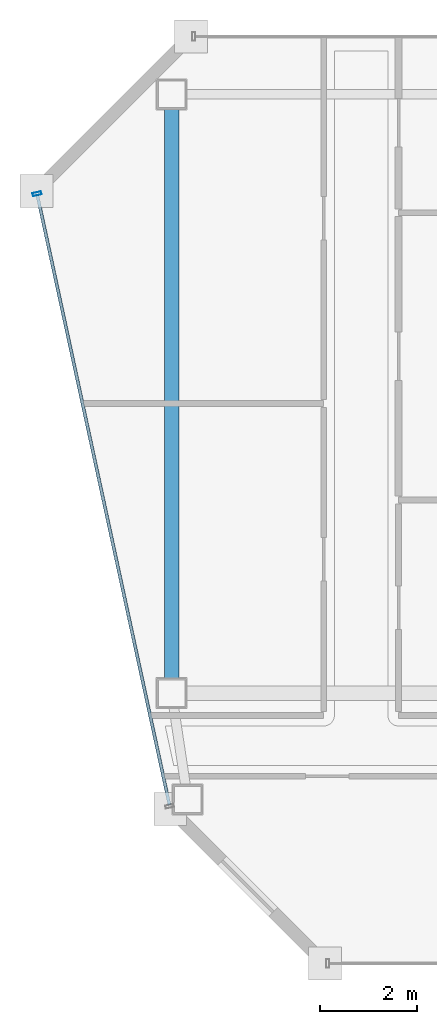
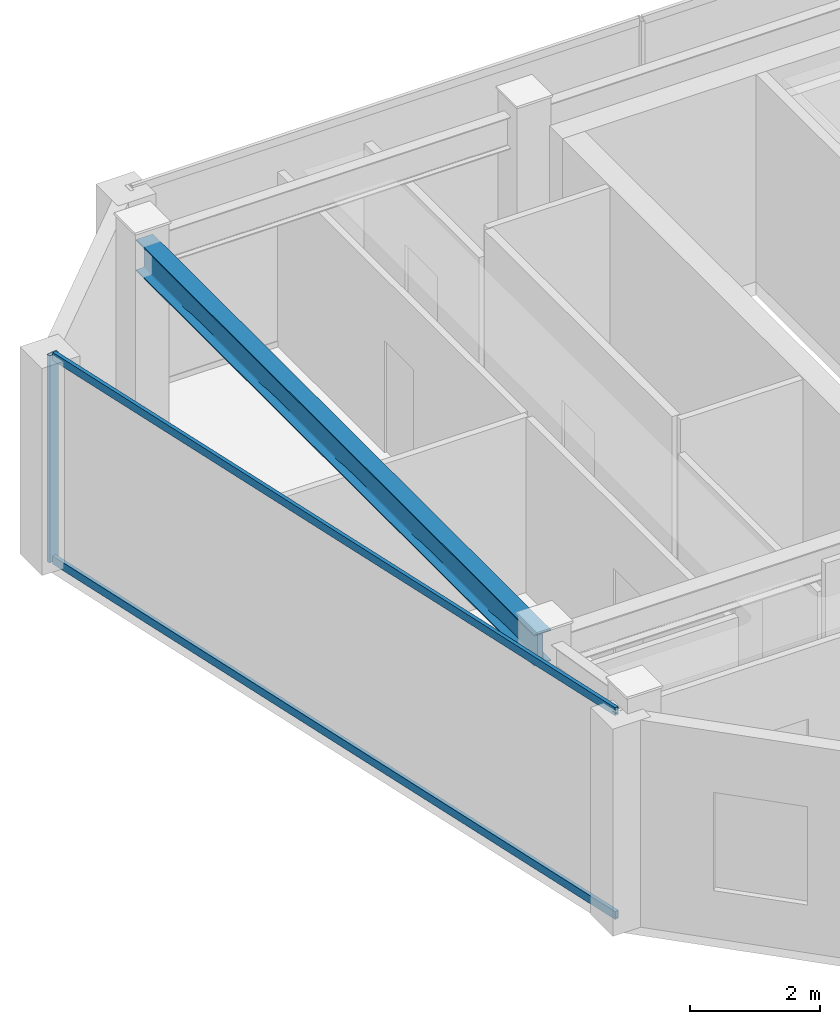
# One storey, part 3 of 17: 3 members, 1 beam, 1 element without a shape of its own.
"""IFC4 building model written with IfcOpenShell, lengths in metres."""

import ifcopenshell
import ifcopenshell.guid

model = None  # the IFC model being written
_history = None  # IfcOwnerHistory: only IFC2X3 demands one
_inside = {}  # id of a spatial element -> (the spatial element, [elements in it])
_under = {}  # id of a project, library or spatial element -> (it, [spatial elements below it])
_declared = {}  # id of a project -> (the project, [libraries it declares])
_typed = {}  # id of a type object -> (the type object, [elements of that type])
_made_of = {}  # id of a material, layer set ... -> (it, [elements and type objects made of it])


def new_model(schema):
    """Start an empty IFC model of exactly this schema.

    Asked for "IFC4X3", IfcOpenShell would pick the latest addendum, in which some entities
    have other attributes; the version numbers below select the first issue.
    IFC2X3 requires an IfcOwnerHistory on every rooted entity: one is made here for all.
    """
    global model, _history
    if schema == "IFC4X3":
        model = ifcopenshell.file(schema_version=(4, 3, 0, 0))
    else:
        model = ifcopenshell.file(schema=schema)
    _inside.clear()
    _under.clear()
    _declared.clear()
    _typed.clear()
    _made_of.clear()
    _history = None
    if model.schema == "IFC2X3":
        org = make("IfcOrganization", Name="unknown")
        user = make(
            "IfcPersonAndOrganization",
            ThePerson=make("IfcPerson", FamilyName="unknown"),
            TheOrganization=org,
        )
        app = make(
            "IfcApplication",
            ApplicationDeveloper=org,
            Version="unknown",
            ApplicationFullName="unknown",
            ApplicationIdentifier="unknown",
        )
        _history = make(
            "IfcOwnerHistory",
            OwningUser=user,
            OwningApplication=app,
            ChangeAction="ADDED",
            CreationDate=0,
        )
    return model


def make(cls, **values):
    """One entity of the class cls with the attributes given. An attribute that is None is left unset."""
    return model.create_entity(
        cls, **{name: value for name, value in values.items() if value is not None}
    )


def rooted(cls, **values):
    """An entity with a GlobalId (a new one), such as an element, a storey or a relation."""
    return make(cls, GlobalId=ifcopenshell.guid.new(), OwnerHistory=_history, **values)


def si_unit(unit_type, name, prefix=None):
    """IfcSIUnit, for example si_unit("LENGTHUNIT", "METRE", prefix="MILLI")."""
    return make("IfcSIUnit", UnitType=unit_type, Prefix=prefix, Name=name)


def assignment(units):
    """IfcUnitAssignment: the units of a project."""
    return None if units is None else make("IfcUnitAssignment", Units=units)


def point(xyz):
    """IfcCartesianPoint."""
    return None if xyz is None else make("IfcCartesianPoint", Coordinates=xyz)


def direction(xyz):
    """IfcDirection."""
    return None if xyz is None else make("IfcDirection", DirectionRatios=xyz)


def frame(location, z_axis=None, x_axis=None):
    """IfcAxis2Placement3D, a coordinate frame: its origin and axes. An axis left out is left unset."""
    return make(
        "IfcAxis2Placement3D",
        Location=point(location),
        Axis=direction(z_axis),
        RefDirection=direction(x_axis),
    )


def frame_2d(location, x_axis=None):
    """IfcAxis2Placement2D, a coordinate frame in the plane: its origin and x axis."""
    return make(
        "IfcAxis2Placement2D", Location=point(location), RefDirection=direction(x_axis)
    )


def origin():
    """The frame at (0, 0, 0) with its axes left unset."""
    return frame((0.0, 0.0, 0.0))


def origin_2d():
    """The frame at (0, 0) in the plane with its x axis left unset."""
    return frame_2d((0.0, 0.0))


def place(relative_to, where):
    """IfcLocalPlacement: puts the frame where relative to a parent placement (None: the world)."""
    return make(
        "IfcLocalPlacement", PlacementRelTo=relative_to, RelativePlacement=where
    )


def context(
    kind, dimensions, precision=None, world=None, true_north=None, identifier=None
):
    """IfcGeometricRepresentationContext, for example the 3D "Model" context."""
    return make(
        "IfcGeometricRepresentationContext",
        ContextIdentifier=identifier,
        ContextType=kind,
        CoordinateSpaceDimension=dimensions,
        Precision=precision,
        WorldCoordinateSystem=world,
        TrueNorth=true_north,
    )


def subcontext(parent, identifier, kind, view, scale=None):
    """IfcGeometricRepresentationSubContext, for example "Body" below "Model"."""
    return make(
        "IfcGeometricRepresentationSubContext",
        ContextIdentifier=identifier,
        ContextType=kind,
        ParentContext=parent,
        TargetScale=scale,
        TargetView=view,
    )


def project(units=None, contexts=None):
    """IfcProject with its units and contexts."""
    return rooted(
        "IfcProject",
        Name="project",
        RepresentationContexts=contexts,
        UnitsInContext=assignment(units),
    )


def spatial(cls, under=None, at=None, **own):
    """A site, building, storey or space (cls), placed at a placement, below another one or the project."""
    s = rooted(cls, ObjectPlacement=at, **own)
    if under is not None:
        _under.setdefault(under.id(), (under, []))[1].append(s)
    return s


def profile(cls, at=None, kind="AREA", **sizes):
    """A parametric profile (cls). Its sizes go by their IFC names, for example OverallWidth=200.0."""
    return make(cls, ProfileType=kind, Position=at, **sizes)


def hollow_rectangle(**sizes):
    """IfcRectangleHollowProfileDef."""
    return profile("IfcRectangleHollowProfileDef", **sizes)


def i_section(**sizes):
    """IfcIShapeProfileDef."""
    return profile("IfcIShapeProfileDef", **sizes)


def extrude(swept, where, along, depth):
    """IfcExtrudedAreaSolid: the profile swept, set in the frame where, extruded along a direction by depth."""
    return make(
        "IfcExtrudedAreaSolid",
        SweptArea=swept,
        Position=where,
        ExtrudedDirection=direction(along),
        Depth=depth,
    )


def shape(context_of_items, identifier, shape_type, items):
    """IfcShapeRepresentation: the items that make up one representation, for example the "Body"."""
    return make(
        "IfcShapeRepresentation",
        ContextOfItems=context_of_items,
        RepresentationIdentifier=identifier,
        RepresentationType=shape_type,
        Items=items,
    )


def material(Name=None, Category=None):
    """IfcMaterial."""
    return make("IfcMaterial", Name=Name, Category=Category)


def material_profile(
    of_material, cross_section, Name=None, Category=None, Priority=None
):
    """IfcMaterialProfile: a cross section and its material."""
    return make(
        "IfcMaterialProfile",
        Name=Name,
        Material=of_material,
        Profile=cross_section,
        Priority=Priority,
        Category=Category,
    )


def profile_set(profiles, Name=None, composite=None):
    """IfcMaterialProfileSet."""
    return make(
        "IfcMaterialProfileSet",
        Name=Name,
        MaterialProfiles=profiles,
        CompositeProfile=composite,
    )


def made_of(thing, what):
    """Note that an element or type object is made of a material, layer set ...; save() writes the relation."""
    if what is not None:
        _made_of.setdefault(what.id(), (what, []))[1].append(thing)
    return thing


def type_object(cls, material=None, **own):
    """A type object (cls), such as IfcWallType, which elements share."""
    return made_of(rooted(cls, **own), material)


def element(
    cls,
    number,
    at=None,
    inside=None,
    cuts=None,
    type_object=None,
    material=None,
    context=None,
    identifier="Body",
    shape_type=None,
    held_by="IfcProductDefinitionShape",
    body=None,
    shapes=None,
    **own,
):
    """One element of the class cls, such as IfcWall. Its Tag is "e" and its number.

    at: its placement. inside: the storey or other place that contains it. cuts: it is an
    opening in that element (IfcRelVoidsElement). A single representation is given by context,
    identifier, shape_type and body (its items); several are given by shapes. held_by: the class
    of the entity that holds the representations. save() writes the other relations.
    """
    e = rooted(cls, Tag="e%d" % number, ObjectPlacement=at, **own)
    if body is not None:
        shapes = [shape(context, identifier, shape_type, body)]
    if shapes is not None:
        e.Representation = make(held_by, Representations=shapes)
    if inside is not None:
        _inside.setdefault(inside.id(), (inside, []))[1].append(e)
    if cuts is not None:
        rooted(
            "IfcRelVoidsElement", RelatingBuildingElement=cuts, RelatedOpeningElement=e
        )
    if type_object is not None:
        _typed.setdefault(type_object.id(), (type_object, []))[1].append(e)
    return made_of(e, material)


def aggregate(whole, parts):
    """IfcRelAggregates: a whole, such as a stair, and the parts it consists of."""
    return rooted("IfcRelAggregates", RelatingObject=whole, RelatedObjects=parts)


def save(model, path):
    """Write the relations noted so far, then the file.

    IfcRelAggregates (storeys below a building ...), IfcRelContainedInSpatialStructure (elements
    in a storey), IfcRelDefinesByType, IfcRelAssociatesMaterial and IfcRelDeclares: one each for
    every whole, place, type object, material and project.
    """
    for whole, parts in _under.values():
        aggregate(whole, parts)
    for where, things in _inside.values():
        rooted(
            "IfcRelContainedInSpatialStructure",
            RelatedElements=things,
            RelatingStructure=where,
        )
    for kind, things in _typed.values():
        rooted("IfcRelDefinesByType", RelatedObjects=things, RelatingType=kind)
    for what, things in _made_of.values():
        rooted("IfcRelAssociatesMaterial", RelatedObjects=things, RelatingMaterial=what)
    for by, libraries in _declared.values():
        rooted("IfcRelDeclares", RelatingContext=by, RelatedDefinitions=libraries)
    model.write(path)


model = new_model("IFC4")

# Units and contexts
model_context = context("Model", 3, precision=1e-05, world=origin(), true_north=direction((0.0, 1.0)))
body_context = subcontext(model_context, "Body", "Model", "MODEL_VIEW")
ifc_project = project(units=[si_unit("LENGTHUNIT", "METRE"), si_unit("AREAUNIT", "SQUARE_METRE"), si_unit("VOLUMEUNIT", "CUBIC_METRE"), si_unit("PLANEANGLEUNIT", "RADIAN"), si_unit("MASSUNIT", "GRAM", prefix="KILO")], contexts=[model_context])

# Site, building, storey
site_placement = place(None, origin())
site = spatial("IfcSite", under=ifc_project, at=site_placement, CompositionType="ELEMENT")
building_placement = place(site_placement, origin())
building = spatial("IfcBuilding", under=site, at=building_placement, Name="Saevonmaru Cultural Tower", CompositionType="ELEMENT")
storey_placement = place(building_placement, frame((0.0, 0.0, 323.39990234375)))
storey = spatial("IfcBuildingStorey", under=building, at=storey_placement, Name="L77", CompositionType="ELEMENT", Elevation=323.39990234375)

# Beam
ifc_material_1 = material(Name="Steel SM355", Category="steel")
ifc_material_profile_1 = material_profile(ifc_material_1, i_section(OverallWidth=0.300048828125, OverallDepth=0.587890625, WebThickness=0.011962890625, FlangeThickness=0.02001953125, FilletRadius=0.02392578125, at=origin_2d()), Name="H-588x300x12x20")
ifc_profile_set_1 = profile_set([ifc_material_profile_1], Name="Steel SM355")
beam_type = type_object("IfcBeamType", Name="BM-G-H588", PredefinedType="BEAM", material=ifc_profile_set_1)
beam_placement = place(storey_placement, frame((6.800048828125, 54.739990234375, 3.606201171875), z_axis=(0.0, -1.0, 0.0), x_axis=(1.0, 0.0, 0.0)))
element("IfcBeam", 1, at=beam_placement, inside=storey, type_object=beam_type, Name="L77 Spine Transverse Girder W", PredefinedType="BEAM", context=body_context, shape_type="SweptSolid", body=[
    extrude(i_section(OverallWidth=0.300048828125, OverallDepth=0.587890625, WebThickness=0.011962890625, FlangeThickness=0.02001953125, FilletRadius=0.02392578125, at=origin_2d()), origin(), (0.0, 0.0, 1.0), 12.280029296875),
])

# Curtain wall, members
ifc_material_2 = material(Name="Satin Bronze Anodised Aluminium", Category="aluminium")
curtain_wall_type = type_object("IfcCurtainWallType", Name="CW-SKY-GLZ", PredefinedType="NOTDEFINED", material=ifc_material_2)
curtain_wall_placement = place(storey_placement, origin())
curtain_wall = element("IfcCurtainWall", 2, at=curtain_wall_placement, inside=storey, type_object=curtain_wall_type, Name="L77 Unitised Curtain Wall E12", PredefinedType="NOTDEFINED")
ifc_material_profile_2 = material_profile(ifc_material_2, hollow_rectangle(XDim=0.06494140625, YDim=0.179931640625, WallThickness=0.00390625, at=origin_2d()), Name="ALU-MULL-180x65x4")
ifc_profile_set_2 = profile_set([ifc_material_profile_2], Name="Satin Bronze Anodised Aluminium")
member_type_1 = type_object("IfcMemberType", Name="ML-CW-180x65", PredefinedType="MULLION", material=ifc_profile_set_2)
member_1_placement = place(storey_placement, frame((4.0126953125, 52.741455078125, 0.0), z_axis=(0.0, 0.0, 1.0), x_axis=(0.211750401587, -0.977323778196, 0.0)))
member_1 = element("IfcMember", 3, at=member_1_placement, type_object=member_type_1, Name="CW-TW-L77-E12 mullion 1", PredefinedType="MULLION", context=body_context, shape_type="SweptSolid", body=[
    extrude(hollow_rectangle(XDim=0.06494140625, YDim=0.179931640625, WallThickness=0.00390625, at=origin_2d()), origin(), (0.0, 0.0, 1.0), 3.900146484375),
])
ifc_material_profile_3 = material_profile(ifc_material_2, hollow_rectangle(XDim=0.06494140625, YDim=0.14990234375, WallThickness=0.00390625, at=origin_2d()), Name="ALU-TRAN-150x65x4")
ifc_profile_set_3 = profile_set([ifc_material_profile_3], Name="Satin Bronze Anodised Aluminium")
member_type_2 = type_object("IfcMemberType", Name="TR-CW-150x65", PredefinedType="USERDEFINED", material=ifc_profile_set_3)
member_2_placement = place(storey_placement, frame((4.01953125, 52.709716796875, 0.03271484375), z_axis=(0.211748230013, -0.977324248695, 0.0), x_axis=(0.977324248695, 0.211748230013, 0.0)))
member_2 = element("IfcMember", 4, at=member_2_placement, type_object=member_type_2, Name="CW-TW-L77-E12 transom 1.1", ObjectType="TRANSOM", PredefinedType="USERDEFINED", context=body_context, shape_type="SweptSolid", body=[
    extrude(hollow_rectangle(XDim=0.06494140625, YDim=0.14990234375, WallThickness=0.00390625, at=origin_2d()), origin(), (0.0, 0.0, 1.0), 12.912109375),
])
member_3_placement = place(storey_placement, frame((4.01953125, 52.709716796875, 3.86767578125), z_axis=(0.211748230013, -0.977324248695, 0.0), x_axis=(0.977324248695, 0.211748230013, 0.0)))
member_3 = element("IfcMember", 5, at=member_3_placement, type_object=member_type_2, Name="CW-TW-L77-E12 transom 1.2", ObjectType="TRANSOM", PredefinedType="USERDEFINED", context=body_context, shape_type="SweptSolid", body=[
    extrude(hollow_rectangle(XDim=0.06494140625, YDim=0.14990234375, WallThickness=0.00390625, at=origin_2d()), origin(), (0.0, 0.0, 1.0), 12.912109375),
])
aggregate(curtain_wall, [member_1, member_2, member_3])

save(model, "model.ifc")
